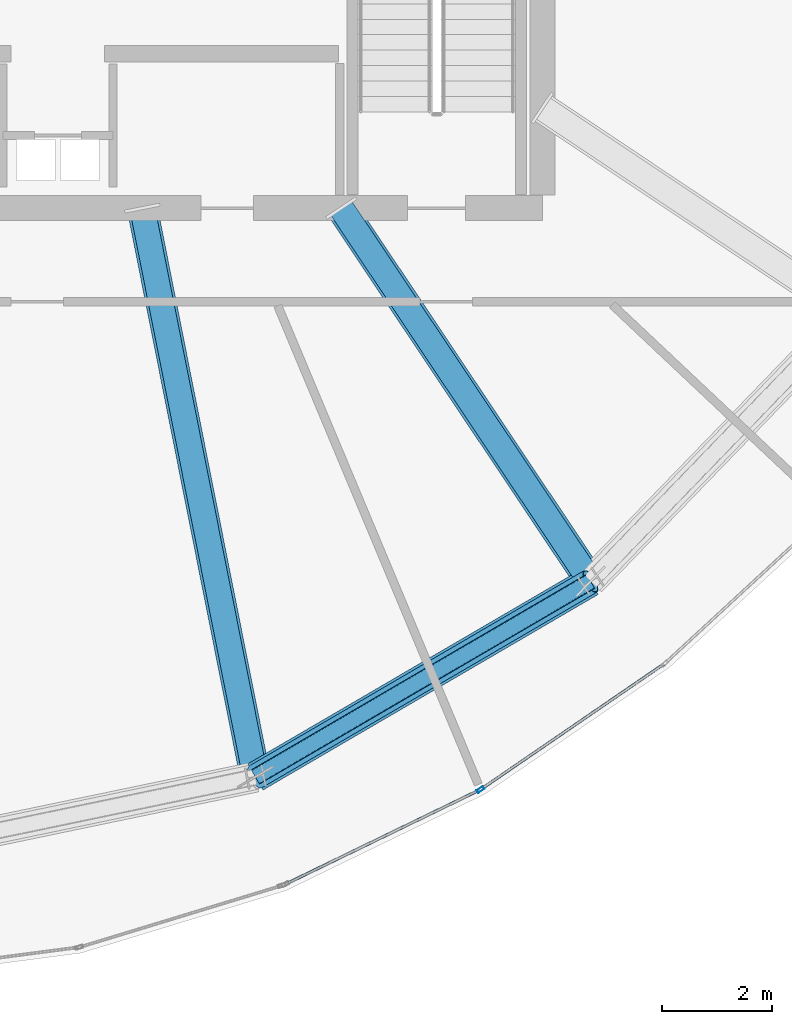
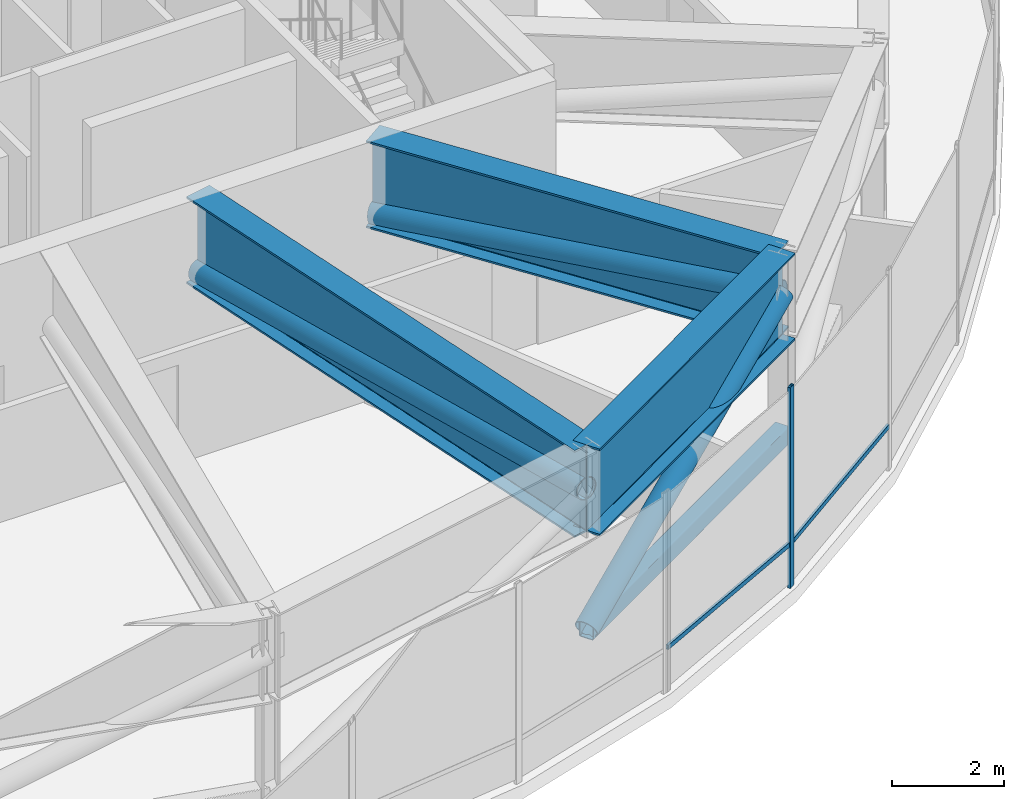
# One storey, part 7 of 26: 7 members, 3 beams, 1 element without a shape of its own.
"""IFC4 building model written with IfcOpenShell, lengths in metres."""

import ifcopenshell
import ifcopenshell.guid

model = None  # the IFC model being written
_history = None  # IfcOwnerHistory: only IFC2X3 demands one
_inside = {}  # id of a spatial element -> (the spatial element, [elements in it])
_under = {}  # id of a project, library or spatial element -> (it, [spatial elements below it])
_declared = {}  # id of a project -> (the project, [libraries it declares])
_typed = {}  # id of a type object -> (the type object, [elements of that type])
_made_of = {}  # id of a material, layer set ... -> (it, [elements and type objects made of it])


def new_model(schema):
    """Start an empty IFC model of exactly this schema.

    Asked for "IFC4X3", IfcOpenShell would pick the latest addendum, in which some entities
    have other attributes; the version numbers below select the first issue.
    IFC2X3 requires an IfcOwnerHistory on every rooted entity: one is made here for all.
    """
    global model, _history
    if schema == "IFC4X3":
        model = ifcopenshell.file(schema_version=(4, 3, 0, 0))
    else:
        model = ifcopenshell.file(schema=schema)
    _inside.clear()
    _under.clear()
    _declared.clear()
    _typed.clear()
    _made_of.clear()
    _history = None
    if model.schema == "IFC2X3":
        org = make("IfcOrganization", Name="unknown")
        user = make(
            "IfcPersonAndOrganization",
            ThePerson=make("IfcPerson", FamilyName="unknown"),
            TheOrganization=org,
        )
        app = make(
            "IfcApplication",
            ApplicationDeveloper=org,
            Version="unknown",
            ApplicationFullName="unknown",
            ApplicationIdentifier="unknown",
        )
        _history = make(
            "IfcOwnerHistory",
            OwningUser=user,
            OwningApplication=app,
            ChangeAction="ADDED",
            CreationDate=0,
        )
    return model


def make(cls, **values):
    """One entity of the class cls with the attributes given. An attribute that is None is left unset."""
    return model.create_entity(
        cls, **{name: value for name, value in values.items() if value is not None}
    )


def rooted(cls, **values):
    """An entity with a GlobalId (a new one), such as an element, a storey or a relation."""
    return make(cls, GlobalId=ifcopenshell.guid.new(), OwnerHistory=_history, **values)


def si_unit(unit_type, name, prefix=None):
    """IfcSIUnit, for example si_unit("LENGTHUNIT", "METRE", prefix="MILLI")."""
    return make("IfcSIUnit", UnitType=unit_type, Prefix=prefix, Name=name)


def assignment(units):
    """IfcUnitAssignment: the units of a project."""
    return None if units is None else make("IfcUnitAssignment", Units=units)


def point(xyz):
    """IfcCartesianPoint."""
    return None if xyz is None else make("IfcCartesianPoint", Coordinates=xyz)


def direction(xyz):
    """IfcDirection."""
    return None if xyz is None else make("IfcDirection", DirectionRatios=xyz)


def frame(location, z_axis=None, x_axis=None):
    """IfcAxis2Placement3D, a coordinate frame: its origin and axes. An axis left out is left unset."""
    return make(
        "IfcAxis2Placement3D",
        Location=point(location),
        Axis=direction(z_axis),
        RefDirection=direction(x_axis),
    )


def frame_2d(location, x_axis=None):
    """IfcAxis2Placement2D, a coordinate frame in the plane: its origin and x axis."""
    return make(
        "IfcAxis2Placement2D", Location=point(location), RefDirection=direction(x_axis)
    )


def origin():
    """The frame at (0, 0, 0) with its axes left unset."""
    return frame((0.0, 0.0, 0.0))


def origin_2d():
    """The frame at (0, 0) in the plane with its x axis left unset."""
    return frame_2d((0.0, 0.0))


def place(relative_to, where):
    """IfcLocalPlacement: puts the frame where relative to a parent placement (None: the world)."""
    return make(
        "IfcLocalPlacement", PlacementRelTo=relative_to, RelativePlacement=where
    )


def context(
    kind, dimensions, precision=None, world=None, true_north=None, identifier=None
):
    """IfcGeometricRepresentationContext, for example the 3D "Model" context."""
    return make(
        "IfcGeometricRepresentationContext",
        ContextIdentifier=identifier,
        ContextType=kind,
        CoordinateSpaceDimension=dimensions,
        Precision=precision,
        WorldCoordinateSystem=world,
        TrueNorth=true_north,
    )


def subcontext(parent, identifier, kind, view, scale=None):
    """IfcGeometricRepresentationSubContext, for example "Body" below "Model"."""
    return make(
        "IfcGeometricRepresentationSubContext",
        ContextIdentifier=identifier,
        ContextType=kind,
        ParentContext=parent,
        TargetScale=scale,
        TargetView=view,
    )


def project(units=None, contexts=None):
    """IfcProject with its units and contexts."""
    return rooted(
        "IfcProject",
        Name="project",
        RepresentationContexts=contexts,
        UnitsInContext=assignment(units),
    )


def spatial(cls, under=None, at=None, **own):
    """A site, building, storey or space (cls), placed at a placement, below another one or the project."""
    s = rooted(cls, ObjectPlacement=at, **own)
    if under is not None:
        _under.setdefault(under.id(), (under, []))[1].append(s)
    return s


def profile(cls, at=None, kind="AREA", **sizes):
    """A parametric profile (cls). Its sizes go by their IFC names, for example OverallWidth=200.0."""
    return make(cls, ProfileType=kind, Position=at, **sizes)


def hollow_rectangle(**sizes):
    """IfcRectangleHollowProfileDef."""
    return profile("IfcRectangleHollowProfileDef", **sizes)


def hollow_circle(**sizes):
    """IfcCircleHollowProfileDef."""
    return profile("IfcCircleHollowProfileDef", **sizes)


def i_section(**sizes):
    """IfcIShapeProfileDef."""
    return profile("IfcIShapeProfileDef", **sizes)


def extrude(swept, where, along, depth):
    """IfcExtrudedAreaSolid: the profile swept, set in the frame where, extruded along a direction by depth."""
    return make(
        "IfcExtrudedAreaSolid",
        SweptArea=swept,
        Position=where,
        ExtrudedDirection=direction(along),
        Depth=depth,
    )


def shape(context_of_items, identifier, shape_type, items):
    """IfcShapeRepresentation: the items that make up one representation, for example the "Body"."""
    return make(
        "IfcShapeRepresentation",
        ContextOfItems=context_of_items,
        RepresentationIdentifier=identifier,
        RepresentationType=shape_type,
        Items=items,
    )


def source(mapping_origin, context_of_items, identifier, shape_type, items):
    """IfcRepresentationMap: a shape defined once, which mapped items show again and again."""
    return make(
        "IfcRepresentationMap",
        MappingOrigin=mapping_origin,
        MappedRepresentation=shape(context_of_items, identifier, shape_type, items),
    )


def transform(
    local_origin,
    x_axis=None,
    y_axis=None,
    z_axis=None,
    scale=None,
    scale2=None,
    scale3=None,
    uniform=True,
):
    """IfcCartesianTransformationOperator3D, or its non-uniform kind. x_axis, y_axis, z_axis: its Axis1, 2, 3."""
    if uniform:
        return make(
            "IfcCartesianTransformationOperator3D",
            Axis1=direction(x_axis),
            Axis2=direction(y_axis),
            LocalOrigin=point(local_origin),
            Scale=scale,
            Axis3=direction(z_axis),
        )
    return make(
        "IfcCartesianTransformationOperator3DnonUniform",
        Axis1=direction(x_axis),
        Axis2=direction(y_axis),
        LocalOrigin=point(local_origin),
        Scale=scale,
        Axis3=direction(z_axis),
        Scale2=scale2,
        Scale3=scale3,
    )


def mapped(mapping_source, mapping_target):
    """IfcMappedItem: shows the shape of a source again, moved by a transform."""
    return make(
        "IfcMappedItem", MappingSource=mapping_source, MappingTarget=mapping_target
    )


def material(Name=None, Category=None):
    """IfcMaterial."""
    return make("IfcMaterial", Name=Name, Category=Category)


def layer(
    of_material, thickness, ventilated=None, Name=None, Category=None, Priority=None
):
    """IfcMaterialLayer: one layer of a wall or slab, of a material (None: an air gap)."""
    return make(
        "IfcMaterialLayer",
        Material=of_material,
        LayerThickness=thickness,
        IsVentilated=ventilated,
        Name=Name,
        Category=Category,
        Priority=Priority,
    )


def layer_set(layers, Name=None):
    """IfcMaterialLayerSet."""
    return make("IfcMaterialLayerSet", MaterialLayers=layers, LayerSetName=Name)


def material_profile(
    of_material, cross_section, Name=None, Category=None, Priority=None
):
    """IfcMaterialProfile: a cross section and its material."""
    return make(
        "IfcMaterialProfile",
        Name=Name,
        Material=of_material,
        Profile=cross_section,
        Priority=Priority,
        Category=Category,
    )


def profile_set(profiles, Name=None, composite=None):
    """IfcMaterialProfileSet."""
    return make(
        "IfcMaterialProfileSet",
        Name=Name,
        MaterialProfiles=profiles,
        CompositeProfile=composite,
    )


def made_of(thing, what):
    """Note that an element or type object is made of a material, layer set ...; save() writes the relation."""
    if what is not None:
        _made_of.setdefault(what.id(), (what, []))[1].append(thing)
    return thing


def type_object(cls, material=None, **own):
    """A type object (cls), such as IfcWallType, which elements share."""
    return made_of(rooted(cls, **own), material)


def element(
    cls,
    number,
    at=None,
    inside=None,
    cuts=None,
    type_object=None,
    material=None,
    context=None,
    identifier="Body",
    shape_type=None,
    held_by="IfcProductDefinitionShape",
    body=None,
    shapes=None,
    **own,
):
    """One element of the class cls, such as IfcWall. Its Tag is "e" and its number.

    at: its placement. inside: the storey or other place that contains it. cuts: it is an
    opening in that element (IfcRelVoidsElement). A single representation is given by context,
    identifier, shape_type and body (its items); several are given by shapes. held_by: the class
    of the entity that holds the representations. save() writes the other relations.
    """
    e = rooted(cls, Tag="e%d" % number, ObjectPlacement=at, **own)
    if body is not None:
        shapes = [shape(context, identifier, shape_type, body)]
    if shapes is not None:
        e.Representation = make(held_by, Representations=shapes)
    if inside is not None:
        _inside.setdefault(inside.id(), (inside, []))[1].append(e)
    if cuts is not None:
        rooted(
            "IfcRelVoidsElement", RelatingBuildingElement=cuts, RelatedOpeningElement=e
        )
    if type_object is not None:
        _typed.setdefault(type_object.id(), (type_object, []))[1].append(e)
    return made_of(e, material)


def aggregate(whole, parts):
    """IfcRelAggregates: a whole, such as a stair, and the parts it consists of."""
    return rooted("IfcRelAggregates", RelatingObject=whole, RelatedObjects=parts)


def save(model, path):
    """Write the relations noted so far, then the file.

    IfcRelAggregates (storeys below a building ...), IfcRelContainedInSpatialStructure (elements
    in a storey), IfcRelDefinesByType, IfcRelAssociatesMaterial and IfcRelDeclares: one each for
    every whole, place, type object, material and project.
    """
    for whole, parts in _under.values():
        aggregate(whole, parts)
    for where, things in _inside.values():
        rooted(
            "IfcRelContainedInSpatialStructure",
            RelatedElements=things,
            RelatingStructure=where,
        )
    for kind, things in _typed.values():
        rooted("IfcRelDefinesByType", RelatedObjects=things, RelatingType=kind)
    for what, things in _made_of.values():
        rooted("IfcRelAssociatesMaterial", RelatedObjects=things, RelatingMaterial=what)
    for by, libraries in _declared.values():
        rooted("IfcRelDeclares", RelatingContext=by, RelatedDefinitions=libraries)
    model.write(path)


model = new_model("IFC4")

# Units and contexts
model_context = context("Model", 3, precision=1e-05, world=origin(), true_north=direction((0.0, 1.0)))
body_context = subcontext(model_context, "Body", "Model", "MODEL_VIEW")
ifc_project = project(units=[si_unit("LENGTHUNIT", "METRE"), si_unit("AREAUNIT", "SQUARE_METRE"), si_unit("VOLUMEUNIT", "CUBIC_METRE"), si_unit("PLANEANGLEUNIT", "RADIAN"), si_unit("MASSUNIT", "GRAM", prefix="KILO"), si_unit("THERMODYNAMICTEMPERATUREUNIT", "KELVIN")], contexts=[model_context])

# Site, building, storey
site_placement = place(None, origin())
site = spatial("IfcSite", under=ifc_project, at=site_placement, CompositionType="ELEMENT")
building_placement = place(site_placement, origin())
building = spatial("IfcBuilding", under=site, at=building_placement, Name="Kethvar Cultural Tower", CompositionType="ELEMENT")
storey_placement = place(building_placement, frame((0.0, 0.0, 223.60009765625)))
storey = spatial("IfcBuildingStorey", under=building, at=storey_placement, Name="L58", CompositionType="ELEMENT", Elevation=223.60009765625)

# Beam
ifc_material_1 = material(Name="Steel S460M", Category="steel")
ifc_material_profile_1 = material_profile(ifc_material_1, i_section(OverallWidth=0.550048828125, OverallDepth=1.89990234375, WebThickness=0.02490234375, FlangeThickness=0.0400390625, FilletRadius=0.02001953125, at=origin_2d()), Name="Steel S460M — PG1900x550x40x25")
ifc_profile_set_1 = profile_set([ifc_material_profile_1], Name="Steel S460M — PG1900x550x40x25")
beam_type = type_object("IfcBeamType", Name="BM-TR1900", PredefinedType="BEAM", material=ifc_profile_set_1)
shared_shape_1 = source(origin(), body_context, "Body", "SweptSolid", [
    extrude(i_section(OverallWidth=0.550048828125, OverallDepth=1.89990234375, WebThickness=0.02490234375, FlangeThickness=0.0400390625, FilletRadius=0.02001953125, at=origin_2d()), origin(), (0.0, 0.0, 1.0), 10.533935546875),
])
beam_1_placement = place(storey_placement, frame((48.33154296875, 20.10009765625, 3.427978515625), z_axis=(0.19509982917, -0.980783389265, 0.0), x_axis=(0.980783389265, 0.19509982917, 0.0)))
element("IfcBeam", 1, at=beam_1_placement, inside=storey, type_object=beam_type, Name="L58 Outrigger Transfer Girder OG-13", PredefinedType="BEAM", context=body_context, shape_type="MappedRepresentation", body=[
    mapped(shared_shape_1, transform((0.0, 0.0, 0.0), scale=1.0)),
])

# Member
ifc_material_2 = material(Name="Steel S355J2", Category="steel")
ifc_material_profile_2 = material_profile(ifc_material_2, hollow_circle(Radius=0.228515625, WallThickness=0.01611328125, at=origin_2d()), Name="Steel S355J2 — CHS457x16")
ifc_profile_set_2 = profile_set([ifc_material_profile_2], Name="Steel S355J2 — CHS457x16")
member_type_1 = type_object("IfcMemberType", Name="MB-OUT-457", PredefinedType="BRACE", material=ifc_profile_set_2)
shared_shape_2 = source(origin(), body_context, "Body", "SweptSolid", [
    extrude(hollow_circle(Radius=0.228515625, WallThickness=0.01611328125, at=origin_2d()), origin(), (0.0, 0.0, 1.0), 10.562744140625),
])
member_1_placement = place(storey_placement, frame((48.33154296875, 20.10009765625, 2.64990234375), z_axis=(0.194569782257, -0.978118798474, 0.073662852941), x_axis=(0.980783389265, 0.19509982917, 0.0)))
element("IfcMember", 2, at=member_1_placement, inside=storey, type_object=member_type_1, Name="L58 Outrigger Truss Diagonal OB-13", PredefinedType="BRACE", context=body_context, shape_type="MappedRepresentation", body=[
    mapped(shared_shape_2, transform((0.0, 0.0, 0.0), scale=1.0)),
])

# Beam
shared_shape_3 = source(origin(), body_context, "Body", "SweptSolid", [
    extrude(i_section(OverallWidth=0.550048828125, OverallDepth=1.89990234375, WebThickness=0.02490234375, FlangeThickness=0.0400390625, FilletRadius=0.02001953125, at=origin_2d()), origin(), (0.0, 0.0, 1.0), 7.048583984375),
])
beam_2_placement = place(storey_placement, frame((50.38671875, 9.7685546875, 3.427978515625), z_axis=(0.863718593305, 0.503974395757, 0.0), x_axis=(-0.503974395757, 0.863718593305, 0.0)))
element("IfcBeam", 3, at=beam_2_placement, inside=storey, type_object=beam_type, Name="L58 Ring Belt Girder BG-13", PredefinedType="BEAM", context=body_context, shape_type="MappedRepresentation", body=[
    mapped(shared_shape_3, transform((0.0, 0.0, 0.0), scale=1.0)),
])

# Members
ifc_material_profile_3 = material_profile(ifc_material_1, hollow_rectangle(XDim=0.300048828125, YDim=0.39990234375, WallThickness=0.01611328125, InnerFilletRadius=0.01611328125, OuterFilletRadius=0.031982421875, at=origin_2d()), Name="Steel S460M — RHS400x300x16")
ifc_profile_set_3 = profile_set([ifc_material_profile_3], Name="Steel S460M — RHS400x300x16")
member_type_2 = type_object("IfcMemberType", Name="MB-CHD-400", PredefinedType="CHORD", material=ifc_profile_set_3)
shared_shape_4 = source(origin(), body_context, "Body", "SweptSolid", [
    extrude(hollow_rectangle(XDim=0.300048828125, YDim=0.39990234375, WallThickness=0.01611328125, InnerFilletRadius=0.01611328125, OuterFilletRadius=0.031982421875, at=origin_2d()), origin(), (0.0, 0.0, 1.0), 7.048583984375),
])
member_2_placement = place(storey_placement, frame((50.38671875, 9.7685546875, 0.349853515625), z_axis=(0.863718593305, 0.503974395757, 0.0), x_axis=(-0.503974395757, 0.863718593305, 0.0)))
element("IfcMember", 4, at=member_2_placement, inside=storey, type_object=member_type_2, Name="L58 Ring Belt Bottom Chord BC-13", PredefinedType="CHORD", context=body_context, shape_type="MappedRepresentation", body=[
    mapped(shared_shape_4, transform((0.0, 0.0, 0.0), scale=1.0)),
])
shared_shape_5 = source(origin(), body_context, "Body", "SweptSolid", [
    extrude(hollow_circle(Radius=0.228515625, WallThickness=0.01611328125, at=origin_2d()), origin(), (0.0, 0.0, 1.0), 7.691162109375),
])
member_3_placement = place(storey_placement, frame((50.38671875, 9.7685546875, 0.349853515625), z_axis=(0.791531997846, 0.461853968907, 0.400209954638), x_axis=(-0.503974395757, 0.863718593305, 0.0)))
element("IfcMember", 5, at=member_3_placement, inside=storey, type_object=member_type_1, Name="L58 Ring Belt Diagonal BD-13", PredefinedType="BRACE", context=body_context, shape_type="MappedRepresentation", body=[
    mapped(shared_shape_5, transform((0.0, 0.0, 0.0), scale=1.0)),
])

# Beam
shared_shape_6 = source(origin(), body_context, "Body", "SweptSolid", [
    extrude(i_section(OverallWidth=0.550048828125, OverallDepth=1.89990234375, WebThickness=0.02490234375, FlangeThickness=0.0400390625, FilletRadius=0.02001953125, at=origin_2d()), origin(), (0.0, 0.0, 1.0), 8.1533203125),
])
beam_3_placement = place(storey_placement, frame((51.945068359375, 20.10009765625, 3.427978515625), z_axis=(0.555549853936, -0.831483228809, 0.0), x_axis=(0.831483228809, 0.555549853936, 0.0)))
element("IfcBeam", 6, at=beam_3_placement, inside=storey, type_object=beam_type, Name="L58 Outrigger Transfer Girder OG-14", PredefinedType="BEAM", context=body_context, shape_type="MappedRepresentation", body=[
    mapped(shared_shape_6, transform((0.0, 0.0, 0.0), scale=1.0)),
])

# Member
shared_shape_7 = source(origin(), body_context, "Body", "SweptSolid", [
    extrude(hollow_circle(Radius=0.228515625, WallThickness=0.01611328125, at=origin_2d()), origin(), (0.0, 0.0, 1.0), 8.190185546875),
])
member_4_placement = place(storey_placement, frame((51.945068359375, 20.10009765625, 2.64990234375), z_axis=(0.55303726825, -0.82772267907, 0.094999718316), x_axis=(0.831483228809, 0.555549853936, 0.0)))
element("IfcMember", 7, at=member_4_placement, inside=storey, type_object=member_type_1, Name="L58 Outrigger Truss Diagonal OB-14", PredefinedType="BRACE", context=body_context, shape_type="MappedRepresentation", body=[
    mapped(shared_shape_7, transform((0.0, 0.0, 0.0), scale=1.0)),
])

# Curtain wall, members
ifc_material_3 = material(Name="Aluminium 6063-T6", Category="aluminium")
ifc_layer = layer(ifc_material_3, 0.179931640625, Name="Aluminium 6063-T6", Category="aluminium")
ifc_layer_set = layer_set([ifc_layer], Name="Aluminium 6063-T6 (180 mm)")
curtain_wall_type = type_object("IfcCurtainWallType", Name="CW-SYS-04-Z34", PredefinedType="NOTDEFINED", material=ifc_layer_set)
curtain_wall_placement = place(storey_placement, origin())
curtain_wall = element("IfcCurtainWall", 8, at=curtain_wall_placement, inside=storey, type_object=curtain_wall_type, Name="L58 Curtain Wall Run 05", PredefinedType="NOTDEFINED")
ifc_material_profile_4 = material_profile(ifc_material_3, hollow_rectangle(XDim=0.06005859375, YDim=0.139892578125, WallThickness=0.0048828125, at=origin_2d()), Name="Aluminium 6063-T6 — RHS140x60x5")
ifc_profile_set_4 = profile_set([ifc_material_profile_4], Name="Aluminium 6063-T6 — RHS140x60x5")
member_type_3 = type_object("IfcMemberType", Name="CW-SYS-04-Z34-MUL", PredefinedType="MULLION", material=ifc_profile_set_4)
shared_shape_8 = source(origin(), body_context, "Body", "SweptSolid", [
    extrude(hollow_rectangle(XDim=0.06005859375, YDim=0.139892578125, WallThickness=0.0048828125, at=origin_2d()), origin(), (0.0, 0.0, 1.0), 4.3798828125),
])
member_5_placement = place(storey_placement, frame((54.474609375, 9.53857421875, 0.0), z_axis=(0.0, 0.0, 1.0), x_axis=(-0.5651398024, 0.82499515377, 0.0)))
member_5 = element("IfcMember", 9, at=member_5_placement, type_object=member_type_3, Name="CW-L58-R05 Mullion 2", PredefinedType="MULLION", context=body_context, shape_type="MappedRepresentation", body=[
    mapped(shared_shape_8, transform((0.0, 0.0, 0.0), scale=1.0)),
])
ifc_material_profile_5 = material_profile(ifc_material_3, hollow_rectangle(XDim=0.050048828125, YDim=0.10009765625, WallThickness=0.00390625, at=origin_2d()), Name="Aluminium 6063-T6 — RHS100x50x4")
ifc_profile_set_5 = profile_set([ifc_material_profile_5], Name="Aluminium 6063-T6 — RHS100x50x4")
member_type_4 = type_object("IfcMemberType", Name="CW-SYS-04-Z34-TRN", PredefinedType="USERDEFINED", material=ifc_profile_set_5)
shared_shape_9 = source(origin(), body_context, "Body", "SweptSolid", [
    extrude(hollow_rectangle(XDim=0.050048828125, YDim=0.10009765625, WallThickness=0.00390625, at=origin_2d()), origin(), (0.0, 0.0, 1.0), 3.909912109375),
])
member_6_placement = place(storey_placement, frame((50.93212890625, 7.8212890625, 0.949951171875), z_axis=(0.899695972361, 0.436517075631, 0.0), x_axis=(-0.436517075631, 0.899695972361, 0.0)))
member_6 = element("IfcMember", 10, at=member_6_placement, type_object=member_type_4, Name="CW-L58-R05 Transom 1", ObjectType="TRANSOM", PredefinedType="USERDEFINED", context=body_context, shape_type="MappedRepresentation", body=[
    mapped(shared_shape_9, transform((0.0, 0.0, 0.0), scale=1.0)),
])
shared_shape_10 = source(origin(), body_context, "Body", "SweptSolid", [
    extrude(hollow_rectangle(XDim=0.050048828125, YDim=0.10009765625, WallThickness=0.00390625, at=origin_2d()), origin(), (0.0, 0.0, 1.0), 3.987060546875),
])
member_7_placement = place(storey_placement, frame((54.510498046875, 9.56298828125, 0.949951171875), z_axis=(0.824975196445, 0.565168935143, 0.0), x_axis=(-0.565168935143, 0.824975196445, 0.0)))
member_7 = element("IfcMember", 11, at=member_7_placement, type_object=member_type_4, Name="CW-L58-R05 Transom 2", ObjectType="TRANSOM", PredefinedType="USERDEFINED", context=body_context, shape_type="MappedRepresentation", body=[
    mapped(shared_shape_10, transform((0.0, 0.0, 0.0), scale=1.0)),
])
aggregate(curtain_wall, [member_5, member_6, member_7])

save(model, "model.ifc")
